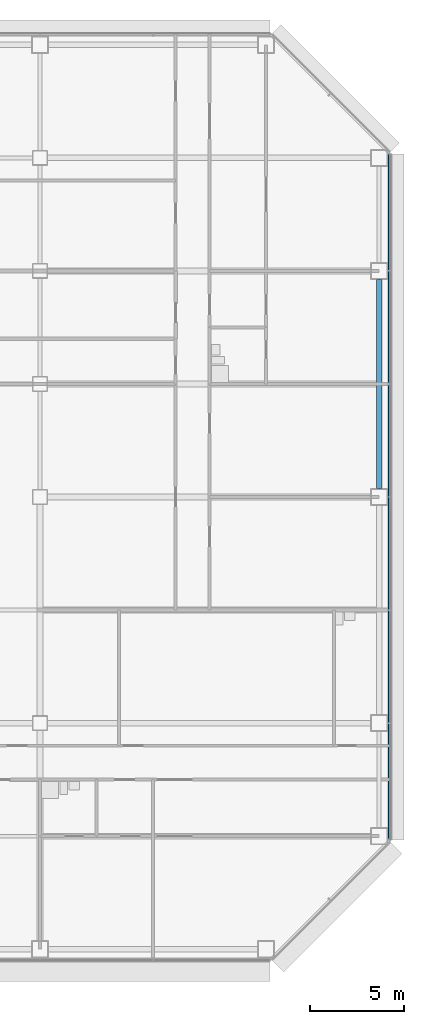
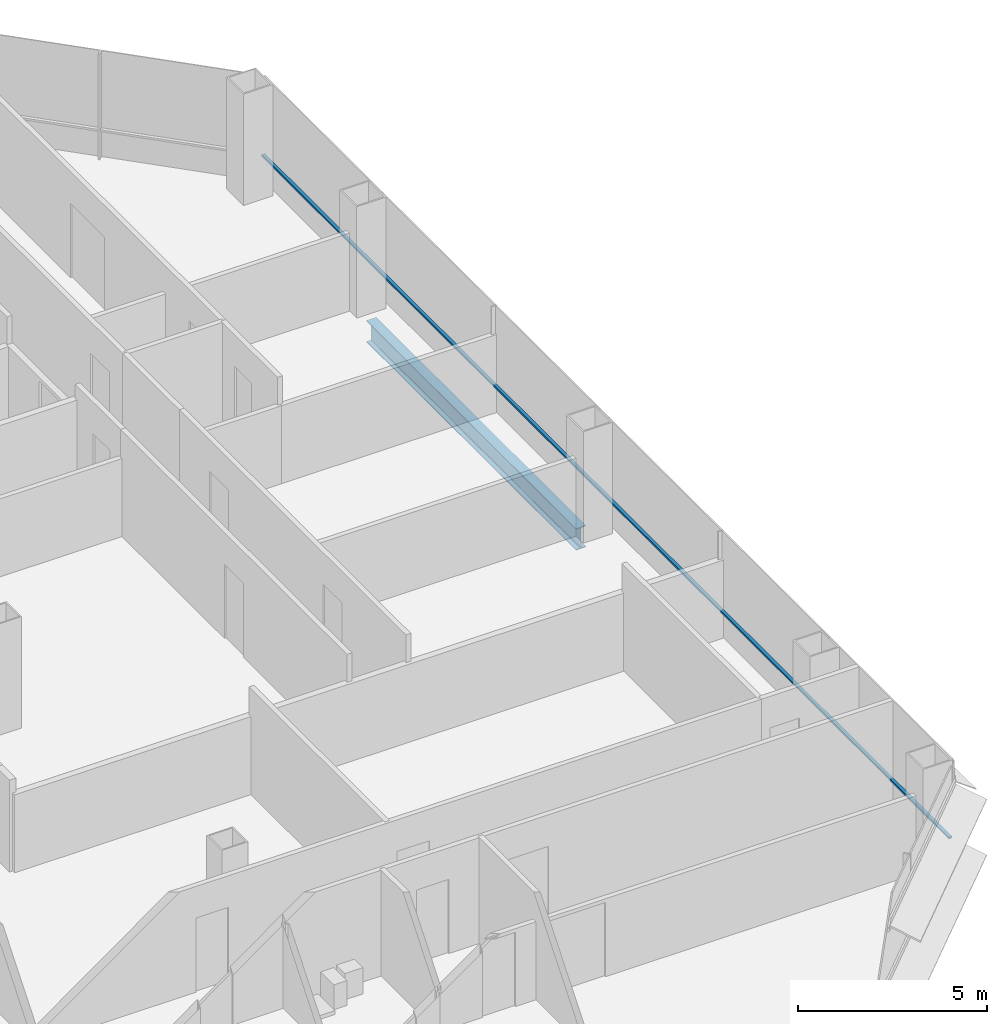
# One storey, part 17 of 27: 1 beam, 1 member, 1 element without a shape of its own.
"""IFC4 building model written with IfcOpenShell, lengths in metres."""

from ifc_helpers import new_model, si_unit, direction, frame, origin, origin_2d, place, context, subcontext, project, spatial, rectangle, i_section, extrude, material, material_profile, profile_set, type_object, element, aggregate, save


model = new_model("IFC4")

# Units and contexts
model_context = context("Model", 3, precision=1e-05, world=origin(), true_north=direction((0.0, 1.0)))
body_context = subcontext(model_context, "Body", "Model", "MODEL_VIEW")
ifc_project = project(units=[si_unit("LENGTHUNIT", "METRE"), si_unit("AREAUNIT", "SQUARE_METRE"), si_unit("VOLUMEUNIT", "CUBIC_METRE"), si_unit("PLANEANGLEUNIT", "RADIAN"), si_unit("MASSUNIT", "GRAM", prefix="KILO")], contexts=[model_context])

# Site, building, storey
site_placement = place(None, origin())
site = spatial("IfcSite", under=ifc_project, at=site_placement, CompositionType="ELEMENT")
building_placement = place(site_placement, origin())
building = spatial("IfcBuilding", under=site, at=building_placement, Name="Sorahane Residences", CompositionType="ELEMENT")
storey_placement = place(building_placement, frame((0.0, 0.0, 75.0)))
storey = spatial("IfcBuildingStorey", under=building, at=storey_placement, Name="L15", CompositionType="ELEMENT", Elevation=75.0)

# Curtain wall, member
ifc_material_1 = material(Name="Dark low-e glass and black anodised aluminium", Category="aluminium")
curtain_wall_type = type_object("IfcCurtainWallType", Name="Curtain wall CW-1 Typical unitised wall", PredefinedType="NOTDEFINED", material=ifc_material_1)
curtain_wall_placement = place(storey_placement, origin())
curtain_wall = element("IfcCurtainWall", 1, at=curtain_wall_placement, inside=storey, type_object=curtain_wall_type, Name="CW-1 curtain wall L15 E1", PredefinedType="NOTDEFINED")
ifc_material_2 = material(Name="Black anodised aluminium", Category="aluminium")
ifc_material_profile_1 = material_profile(ifc_material_2, rectangle(XDim=0.10009765625, YDim=0.06005859375, at=origin_2d()), Name="Curtain wall transom CW-1 black anodised aluminium 60x100")
ifc_profile_set_1 = profile_set([ifc_material_profile_1], Name="Black anodised aluminium")
member_type = type_object("IfcMemberType", Name="Curtain wall transom CW-1 black anodised aluminium 60x100", PredefinedType="USERDEFINED", material=ifc_profile_set_1)
member_placement = place(storey_placement, frame((66.530029296875, 5.801513671875, 0.89990234375), z_axis=(0.0, 1.0, 0.0), x_axis=(-1.0, 0.0, 0.0)))
member = element("IfcMember", 2, at=member_placement, type_object=member_type, Name="CW-1 transom L15 E1", ObjectType="TRANSOM", PredefinedType="USERDEFINED", context=body_context, shape_type="SweptSolid", body=[
    extrude(rectangle(XDim=0.10009765625, YDim=0.06005859375, at=origin_2d()), origin(), (0.0, 0.0, 1.0), 36.39697265625),
])
aggregate(curtain_wall, [member])

# Beam
ifc_material_3 = material(Name="Steel Q355B", Category="steel")
ifc_material_profile_2 = material_profile(ifc_material_3, i_section(OverallWidth=0.300048828125, OverallDepth=0.699951171875, WebThickness=0.012939453125, FlangeThickness=0.02392578125, FilletRadius=0.028076171875, at=origin_2d()), Name="HN 700x300x13x24")
ifc_profile_set_2 = profile_set([ifc_material_profile_2], Name="Steel Q355B")
beam_type = type_object("IfcBeamType", Name="Steel floor beam HN 700x300x13x24 Q355B", PredefinedType="BEAM", material=ifc_profile_set_2)
beam_placement = place(storey_placement, frame((66.0, 24.449951171875, -0.530029296875), z_axis=(0.0, 1.0, 0.0), x_axis=(-1.0, 0.0, 0.0)))
element("IfcBeam", 3, at=beam_placement, inside=storey, type_object=beam_type, Name="Beam L15 059", PredefinedType="BEAM", context=body_context, shape_type="SweptSolid", body=[
    extrude(i_section(OverallWidth=0.300048828125, OverallDepth=0.699951171875, WebThickness=0.012939453125, FlangeThickness=0.02392578125, FilletRadius=0.028076171875, at=origin_2d()), origin(), (0.0, 0.0, 1.0), 11.10009765625),
])

save(model, "model.ifc")
